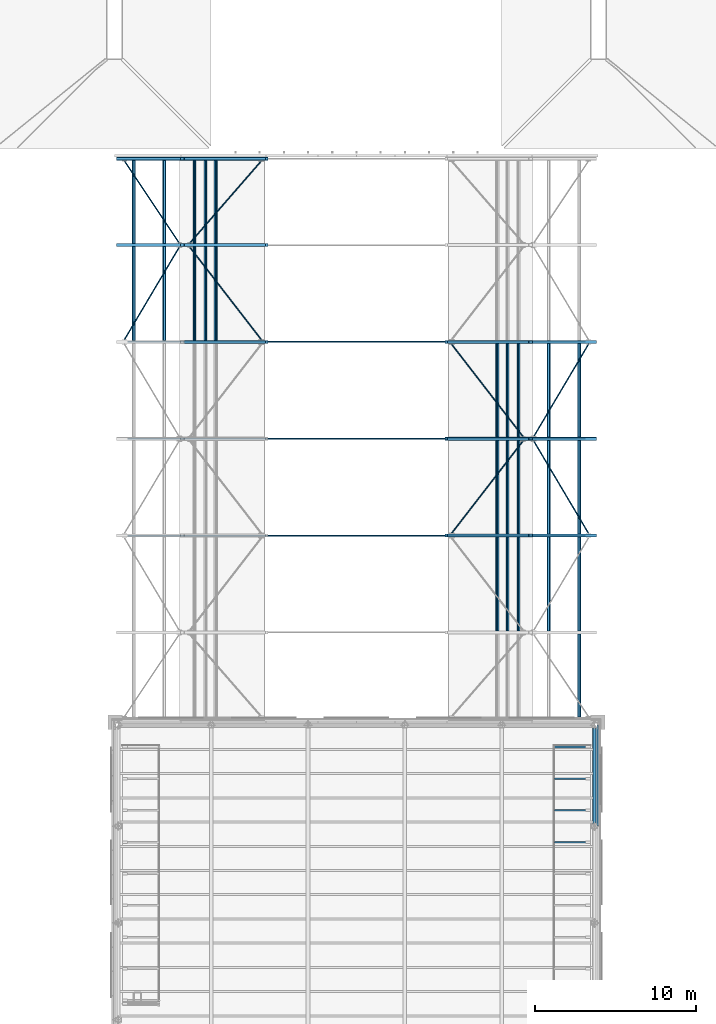
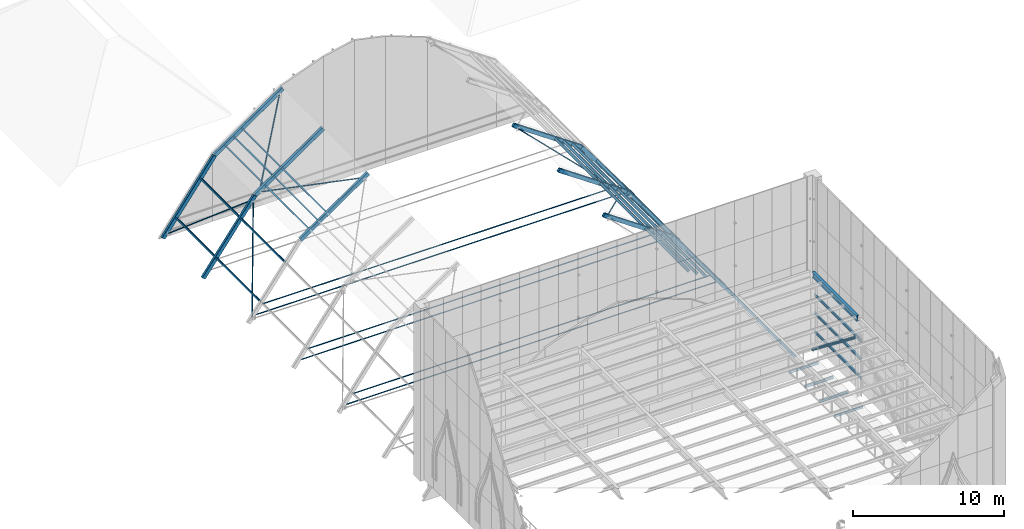
# One storey, part 5 of 43: 41 members, 19 beams.
"""IFC4 building model written with IfcOpenShell, lengths in metres."""

import ifcopenshell
import ifcopenshell.guid

model = None  # the IFC model being written
_history = None  # IfcOwnerHistory: only IFC2X3 demands one
_inside = {}  # id of a spatial element -> (the spatial element, [elements in it])
_under = {}  # id of a project, library or spatial element -> (it, [spatial elements below it])
_declared = {}  # id of a project -> (the project, [libraries it declares])
_typed = {}  # id of a type object -> (the type object, [elements of that type])
_made_of = {}  # id of a material, layer set ... -> (it, [elements and type objects made of it])


def new_model(schema):
    """Start an empty IFC model of exactly this schema.

    Asked for "IFC4X3", IfcOpenShell would pick the latest addendum, in which some entities
    have other attributes; the version numbers below select the first issue.
    IFC2X3 requires an IfcOwnerHistory on every rooted entity: one is made here for all.
    """
    global model, _history
    if schema == "IFC4X3":
        model = ifcopenshell.file(schema_version=(4, 3, 0, 0))
    else:
        model = ifcopenshell.file(schema=schema)
    _inside.clear()
    _under.clear()
    _declared.clear()
    _typed.clear()
    _made_of.clear()
    _history = None
    if model.schema == "IFC2X3":
        org = make("IfcOrganization", Name="unknown")
        user = make(
            "IfcPersonAndOrganization",
            ThePerson=make("IfcPerson", FamilyName="unknown"),
            TheOrganization=org,
        )
        app = make(
            "IfcApplication",
            ApplicationDeveloper=org,
            Version="unknown",
            ApplicationFullName="unknown",
            ApplicationIdentifier="unknown",
        )
        _history = make(
            "IfcOwnerHistory",
            OwningUser=user,
            OwningApplication=app,
            ChangeAction="ADDED",
            CreationDate=0,
        )
    return model


def make(cls, **values):
    """One entity of the class cls with the attributes given. An attribute that is None is left unset."""
    return model.create_entity(
        cls, **{name: value for name, value in values.items() if value is not None}
    )


def rooted(cls, **values):
    """An entity with a GlobalId (a new one), such as an element, a storey or a relation."""
    return make(cls, GlobalId=ifcopenshell.guid.new(), OwnerHistory=_history, **values)


def si_unit(unit_type, name, prefix=None):
    """IfcSIUnit, for example si_unit("LENGTHUNIT", "METRE", prefix="MILLI")."""
    return make("IfcSIUnit", UnitType=unit_type, Prefix=prefix, Name=name)


def assignment(units):
    """IfcUnitAssignment: the units of a project."""
    return None if units is None else make("IfcUnitAssignment", Units=units)


def point(xyz):
    """IfcCartesianPoint."""
    return None if xyz is None else make("IfcCartesianPoint", Coordinates=xyz)


def direction(xyz):
    """IfcDirection."""
    return None if xyz is None else make("IfcDirection", DirectionRatios=xyz)


def frame(location, z_axis=None, x_axis=None):
    """IfcAxis2Placement3D, a coordinate frame: its origin and axes. An axis left out is left unset."""
    return make(
        "IfcAxis2Placement3D",
        Location=point(location),
        Axis=direction(z_axis),
        RefDirection=direction(x_axis),
    )


def frame_2d(location, x_axis=None):
    """IfcAxis2Placement2D, a coordinate frame in the plane: its origin and x axis."""
    return make(
        "IfcAxis2Placement2D", Location=point(location), RefDirection=direction(x_axis)
    )


def origin():
    """The frame at (0, 0, 0) with its axes left unset."""
    return frame((0.0, 0.0, 0.0))


def origin_2d():
    """The frame at (0, 0) in the plane with its x axis left unset."""
    return frame_2d((0.0, 0.0))


def place(relative_to, where):
    """IfcLocalPlacement: puts the frame where relative to a parent placement (None: the world)."""
    return make(
        "IfcLocalPlacement", PlacementRelTo=relative_to, RelativePlacement=where
    )


def context(
    kind, dimensions, precision=None, world=None, true_north=None, identifier=None
):
    """IfcGeometricRepresentationContext, for example the 3D "Model" context."""
    return make(
        "IfcGeometricRepresentationContext",
        ContextIdentifier=identifier,
        ContextType=kind,
        CoordinateSpaceDimension=dimensions,
        Precision=precision,
        WorldCoordinateSystem=world,
        TrueNorth=true_north,
    )


def subcontext(parent, identifier, kind, view, scale=None):
    """IfcGeometricRepresentationSubContext, for example "Body" below "Model"."""
    return make(
        "IfcGeometricRepresentationSubContext",
        ContextIdentifier=identifier,
        ContextType=kind,
        ParentContext=parent,
        TargetScale=scale,
        TargetView=view,
    )


def project(units=None, contexts=None):
    """IfcProject with its units and contexts."""
    return rooted(
        "IfcProject",
        Name="project",
        RepresentationContexts=contexts,
        UnitsInContext=assignment(units),
    )


def spatial(cls, under=None, at=None, **own):
    """A site, building, storey or space (cls), placed at a placement, below another one or the project."""
    s = rooted(cls, ObjectPlacement=at, **own)
    if under is not None:
        _under.setdefault(under.id(), (under, []))[1].append(s)
    return s


def profile(cls, at=None, kind="AREA", **sizes):
    """A parametric profile (cls). Its sizes go by their IFC names, for example OverallWidth=200.0."""
    return make(cls, ProfileType=kind, Position=at, **sizes)


def hollow_rectangle(**sizes):
    """IfcRectangleHollowProfileDef."""
    return profile("IfcRectangleHollowProfileDef", **sizes)


def hollow_circle(**sizes):
    """IfcCircleHollowProfileDef."""
    return profile("IfcCircleHollowProfileDef", **sizes)


def i_section(**sizes):
    """IfcIShapeProfileDef."""
    return profile("IfcIShapeProfileDef", **sizes)


def extrude(swept, where, along, depth):
    """IfcExtrudedAreaSolid: the profile swept, set in the frame where, extruded along a direction by depth."""
    return make(
        "IfcExtrudedAreaSolid",
        SweptArea=swept,
        Position=where,
        ExtrudedDirection=direction(along),
        Depth=depth,
    )


def shape(context_of_items, identifier, shape_type, items):
    """IfcShapeRepresentation: the items that make up one representation, for example the "Body"."""
    return make(
        "IfcShapeRepresentation",
        ContextOfItems=context_of_items,
        RepresentationIdentifier=identifier,
        RepresentationType=shape_type,
        Items=items,
    )


def material(Name=None, Category=None):
    """IfcMaterial."""
    return make("IfcMaterial", Name=Name, Category=Category)


def material_profile(
    of_material, cross_section, Name=None, Category=None, Priority=None
):
    """IfcMaterialProfile: a cross section and its material."""
    return make(
        "IfcMaterialProfile",
        Name=Name,
        Material=of_material,
        Profile=cross_section,
        Priority=Priority,
        Category=Category,
    )


def profile_set(profiles, Name=None, composite=None):
    """IfcMaterialProfileSet."""
    return make(
        "IfcMaterialProfileSet",
        Name=Name,
        MaterialProfiles=profiles,
        CompositeProfile=composite,
    )


def made_of(thing, what):
    """Note that an element or type object is made of a material, layer set ...; save() writes the relation."""
    if what is not None:
        _made_of.setdefault(what.id(), (what, []))[1].append(thing)
    return thing


def type_object(cls, material=None, **own):
    """A type object (cls), such as IfcWallType, which elements share."""
    return made_of(rooted(cls, **own), material)


def element(
    cls,
    number,
    at=None,
    inside=None,
    cuts=None,
    type_object=None,
    material=None,
    context=None,
    identifier="Body",
    shape_type=None,
    held_by="IfcProductDefinitionShape",
    body=None,
    shapes=None,
    **own,
):
    """One element of the class cls, such as IfcWall. Its Tag is "e" and its number.

    at: its placement. inside: the storey or other place that contains it. cuts: it is an
    opening in that element (IfcRelVoidsElement). A single representation is given by context,
    identifier, shape_type and body (its items); several are given by shapes. held_by: the class
    of the entity that holds the representations. save() writes the other relations.
    """
    e = rooted(cls, Tag="e%d" % number, ObjectPlacement=at, **own)
    if body is not None:
        shapes = [shape(context, identifier, shape_type, body)]
    if shapes is not None:
        e.Representation = make(held_by, Representations=shapes)
    if inside is not None:
        _inside.setdefault(inside.id(), (inside, []))[1].append(e)
    if cuts is not None:
        rooted(
            "IfcRelVoidsElement", RelatingBuildingElement=cuts, RelatedOpeningElement=e
        )
    if type_object is not None:
        _typed.setdefault(type_object.id(), (type_object, []))[1].append(e)
    return made_of(e, material)


def aggregate(whole, parts):
    """IfcRelAggregates: a whole, such as a stair, and the parts it consists of."""
    return rooted("IfcRelAggregates", RelatingObject=whole, RelatedObjects=parts)


def save(model, path):
    """Write the relations noted so far, then the file.

    IfcRelAggregates (storeys below a building ...), IfcRelContainedInSpatialStructure (elements
    in a storey), IfcRelDefinesByType, IfcRelAssociatesMaterial and IfcRelDeclares: one each for
    every whole, place, type object, material and project.
    """
    for whole, parts in _under.values():
        aggregate(whole, parts)
    for where, things in _inside.values():
        rooted(
            "IfcRelContainedInSpatialStructure",
            RelatedElements=things,
            RelatingStructure=where,
        )
    for kind, things in _typed.values():
        rooted("IfcRelDefinesByType", RelatedObjects=things, RelatingType=kind)
    for what, things in _made_of.values():
        rooted("IfcRelAssociatesMaterial", RelatedObjects=things, RelatingMaterial=what)
    for by, libraries in _declared.values():
        rooted("IfcRelDeclares", RelatingContext=by, RelatedDefinitions=libraries)
    model.write(path)


model = new_model("IFC4")

# Units and contexts
model_context = context("Model", 3, precision=1e-05, world=origin(), true_north=direction((0.0, 1.0)))
body_context = subcontext(model_context, "Body", "Model", "MODEL_VIEW")
ifc_project = project(units=[si_unit("LENGTHUNIT", "METRE"), si_unit("AREAUNIT", "SQUARE_METRE"), si_unit("VOLUMEUNIT", "CUBIC_METRE"), si_unit("PLANEANGLEUNIT", "RADIAN"), si_unit("MASSUNIT", "GRAM", prefix="KILO")], contexts=[model_context])

# Site, building, storey
site_placement = place(None, origin())
site = spatial("IfcSite", under=ifc_project, at=site_placement, CompositionType="ELEMENT")
building_placement = place(site_placement, origin())
building = spatial("IfcBuilding", under=site, at=building_placement, Name="Saffron Lane Theatres", CompositionType="ELEMENT")
storey_placement = place(building_placement, frame((0.0, 0.0, 23.0)))
storey = spatial("IfcBuildingStorey", under=building, at=storey_placement, Name="Roof", CompositionType="ELEMENT", Elevation=23.0)

# Beams
ifc_material_1 = material(Name="Steel Grade 350", Category="steel")
ifc_material_profile_1 = material_profile(ifc_material_1, i_section(OverallWidth=0.09912109375, OverallDepth=0.197998046875, WebThickness=0.00439453125, FlangeThickness=0.007080078125, FilletRadius=0.010986328125, at=origin_2d()))
ifc_profile_set_1 = profile_set([ifc_material_profile_1], Name="Steel Grade 350")
beam_type_1 = type_object("IfcBeamType", Name="ST-GALLERY BEAM 200UB18.2", PredefinedType="BEAM", material=ifc_profile_set_1)
for number, where, z_axis, x_axis, name in (
    (1, (45.27490234375, 47.012451171875, -0.14892578125), (1.0, 0.0, 0.0), (0.0, 1.0, 0.0), "FBE23-7"),
    (2, (45.27490234375, 48.97509765625, -0.14892578125), (1.0, 0.0, 0.0), (0.0, 1.0, 0.0), "FBE23-8"),
    (3, (45.27490234375, 50.9375, -0.14892578125), (1.0, 0.0, 0.0), (0.0, 1.0, 0.0), "FBE23-9"),
    (4, (45.27490234375, 52.89990234375, -0.14892578125), (1.0, 0.0, 0.0), (0.0, 1.0, 0.0), "FBE23-10"),
):
    element("IfcBeam", number, at=place(storey_placement, frame(where, z_axis=z_axis, x_axis=x_axis)), inside=storey, type_object=beam_type_1, Name=name, PredefinedType="BEAM", context=body_context, shape_type="SweptSolid", body=[
        extrude(i_section(OverallWidth=0.09912109375, OverallDepth=0.197998046875, WebThickness=0.00439453125, FlangeThickness=0.007080078125, FilletRadius=0.010986328125, at=origin_2d()), origin(), (0.0, 0.0, 1.0), 2.22509765625),
    ])
ifc_material_2 = material(Name="Steel Grade 350", Category="steel")
ifc_material_profile_2 = material_profile(ifc_material_2, i_section(OverallWidth=0.19091796875, OverallDepth=0.4599609375, WebThickness=0.010009765625, FlangeThickness=0.01611328125, FilletRadius=0.010986328125, at=origin_2d()))
ifc_profile_set_2 = profile_set([ifc_material_profile_2], Name="Steel Grade 350")
beam_type_2 = type_object("IfcBeamType", Name="ST-GRIDIRON GIRDER 460UB82.1", PredefinedType="BEAM", material=ifc_profile_set_2)
beam_1_placement = place(storey_placement, frame((47.75, 48.155517578125, 6.219970703125), z_axis=(0.0, 1.0, 0.0), x_axis=(-1.0, 0.0, 0.0)))
element("IfcBeam", 5, at=beam_1_placement, inside=storey, type_object=beam_type_2, Name="TG18", PredefinedType="BEAM", context=body_context, shape_type="SweptSolid", body=[
    extrude(i_section(OverallWidth=0.19091796875, OverallDepth=0.4599609375, WebThickness=0.010009765625, FlangeThickness=0.01611328125, FilletRadius=0.010986328125, at=origin_2d()), origin(), (0.0, 0.0, 1.0), 5.930908203125),
])

# Member
ifc_material_3 = material(Name="Steel Grade 350", Category="steel")
ifc_material_profile_3 = material_profile(ifc_material_3, hollow_circle(Radius=0.109619140625, WallThickness=0.00830078125, at=origin_2d()))
ifc_profile_set_3 = profile_set([ifc_material_profile_3], Name="Steel Grade 350")
member_type_1 = type_object("IfcMemberType", Name="ST-TOWER BRACE LO 219.1x8.2 CHS", PredefinedType="BRACE", material=ifc_profile_set_3)
member_1_placement = place(storey_placement, frame((47.75, 54.138427734375, 0.086669921875), z_axis=(0.0, -0.790037583731, 0.613058411811), x_axis=(1.0, 0.0, 0.0)))
element("IfcMember", 6, at=member_1_placement, inside=storey, type_object=member_type_1, Name="TB35", PredefinedType="BRACE", context=body_context, shape_type="SweptSolid", body=[
    extrude(hollow_circle(Radius=0.109619140625, WallThickness=0.00830078125, at=origin_2d()), origin(), (0.0, 0.0, 1.0), 7.628662109375),
])

# Beams
ifc_material_4 = material(Name="Steel Grade 350", Category="steel")
ifc_material_profile_4 = material_profile(ifc_material_4, i_section(OverallWidth=0.09912109375, OverallDepth=0.197998046875, WebThickness=0.00439453125, FlangeThickness=0.007080078125, FilletRadius=0.010986328125, at=origin_2d()))
ifc_profile_set_4 = profile_set([ifc_material_profile_4], Name="Steel Grade 350")
beam_type_3 = type_object("IfcBeamType", Name="ST-TOWER GIRT 200UB18.2", PredefinedType="BEAM", material=ifc_profile_set_4)
for number, where, z_axis, x_axis, name in (
    (7, (47.962890625, 48.0, 1.40087890625), (0.0, 1.0, 0.0), (-1.0, 0.0, 0.0), "TX49"),
    (8, (47.962890625, 48.0, 2.90087890625), (0.0, 1.0, 0.0), (-1.0, 0.0, 0.0), "TX53"),
    (9, (47.962890625, 48.0, 4.40087890625), (0.0, 1.0, 0.0), (-1.0, 0.0, 0.0), "TX57"),
):
    element("IfcBeam", number, at=place(storey_placement, frame(where, z_axis=z_axis, x_axis=x_axis)), inside=storey, type_object=beam_type_3, Name=name, PredefinedType="BEAM", context=body_context, shape_type="SweptSolid", body=[
        extrude(i_section(OverallWidth=0.09912109375, OverallDepth=0.197998046875, WebThickness=0.00439453125, FlangeThickness=0.007080078125, FilletRadius=0.010986328125, at=origin_2d()), origin(), (0.0, 0.0, 1.0), 6.25),
    ])

# Members
ifc_material_5 = material(Name="Steel Grade 350", Category="steel")
ifc_material_profile_5 = material_profile(ifc_material_5, hollow_circle(Radius=0.04443359375, WallThickness=0.005859375, at=origin_2d()))
ifc_profile_set_5 = profile_set([ifc_material_profile_5], Name="Steel Grade 350")
member_type_2 = type_object("IfcMemberType", Name="ST-VAULT BRACE 88.9x5.9 CHS", PredefinedType="BRACE", material=ifc_profile_set_5)
member_2_placement = place(storey_placement, frame((38.894775390625, 66.140380859375, 6.6708984375), z_axis=(0.563659260503, 0.729034995393, -0.388324881436), x_axis=(-0.791120093117, 0.611660852324, 0.0)))
element("IfcMember", 10, at=member_2_placement, inside=storey, type_object=member_type_2, Name="VB23", PredefinedType="BRACE", context=body_context, shape_type="SweptSolid", body=[
    extrude(hollow_circle(Radius=0.04443359375, WallThickness=0.005859375, at=origin_2d()), origin(), (0.0, 0.0, 1.0), 7.844970703125),
])
member_3_placement = place(storey_placement, frame((43.988037109375, 71.858642578125, 2.976318359375), z_axis=(0.420650922194, -0.709712053021, -0.565120875083), x_axis=(0.860248567994, 0.509874887854, 0.0)))
element("IfcMember", 11, at=member_3_placement, inside=storey, type_object=member_type_2, Name="VB24", PredefinedType="BRACE", context=body_context, shape_type="SweptSolid", body=[
    extrude(hollow_circle(Radius=0.04443359375, WallThickness=0.005859375, at=origin_2d()), origin(), (0.0, 0.0, 1.0), 8.0556640625),
])
member_4_placement = place(storey_placement, frame((38.894775390625, 77.859619140625, 6.6708984375), z_axis=(0.563659260503, -0.729034995393, -0.388324881436), x_axis=(0.791120093117, 0.611660852324, 0.0)))
element("IfcMember", 12, at=member_4_placement, inside=storey, type_object=member_type_2, Name="VB31", PredefinedType="BRACE", context=body_context, shape_type="SweptSolid", body=[
    extrude(hollow_circle(Radius=0.04443359375, WallThickness=0.005859375, at=origin_2d()), origin(), (0.0, 0.0, 1.0), 7.844970703125),
])
for number, where, z_axis, x_axis, name in (
    (13, (43.988037109375, 72.141357421875, 2.976318359375), (0.420650922194, 0.709712053021, -0.565120875083), (-0.860248567994, 0.509874887854, 0.0), "VB32"),
    (14, (18.623291015625, 78.141357421875, -1.576171875), (0.420650922194, 0.709712053021, 0.565120875083), (-0.860248567994, 0.509874887854, 0.0), "VB33"),
):
    element("IfcMember", number, at=place(storey_placement, frame(where, z_axis=z_axis, x_axis=x_axis)), inside=storey, type_object=member_type_2, Name=name, PredefinedType="BRACE", context=body_context, shape_type="SweptSolid", body=[
        extrude(hollow_circle(Radius=0.04443359375, WallThickness=0.005859375, at=origin_2d()), origin(), (0.0, 0.0, 1.0), 8.0556640625),
    ])
member_5_placement = place(storey_placement, frame((22.683349609375, 83.859619140625, 3.62451171875), z_axis=(0.563659260503, -0.729034995393, 0.388324881436), x_axis=(0.791120093117, 0.611660852324, 0.0)))
element("IfcMember", 15, at=member_5_placement, inside=storey, type_object=member_type_2, Name="VB34", PredefinedType="BRACE", context=body_context, shape_type="SweptSolid", body=[
    extrude(hollow_circle(Radius=0.04443359375, WallThickness=0.005859375, at=origin_2d()), origin(), (0.0, 0.0, 1.0), 7.844970703125),
])
member_6_placement = place(storey_placement, frame((18.627685546875, 89.206787109375, -1.570556640625), z_axis=(0.444999189173, -0.666695187998, 0.597907390769), x_axis=(0.831741693908, 0.555162818112, 0.0)))
element("IfcMember", 16, at=member_6_placement, inside=storey, type_object=member_type_2, Name="VB41", PredefinedType="BRACE", context=body_context, shape_type="SweptSolid", body=[
    extrude(hollow_circle(Radius=0.04443359375, WallThickness=0.005859375, at=origin_2d()), origin(), (0.0, 0.0, 1.0), 7.59521484375),
])
member_7_placement = place(storey_placement, frame((22.68896484375, 84.142333984375, 3.62841796875), z_axis=(0.598302857614, 0.687124304759, 0.41218185353), x_axis=(-0.754168697763, 0.656680725554, 0.0)))
element("IfcMember", 17, at=member_7_placement, inside=storey, type_object=member_type_2, Name="VB42", PredefinedType="BRACE", context=body_context, shape_type="SweptSolid", body=[
    extrude(hollow_circle(Radius=0.04443359375, WallThickness=0.005859375, at=origin_2d()), origin(), (0.0, 0.0, 1.0), 7.371826171875),
])
ifc_material_6 = material(Name="Steel Grade 350", Category="steel")
ifc_material_profile_6 = material_profile(ifc_material_6, i_section(OverallWidth=0.09912109375, OverallDepth=0.197998046875, WebThickness=0.00439453125, FlangeThickness=0.007080078125, FilletRadius=0.010986328125, at=origin_2d()))
ifc_profile_set_6 = profile_set([ifc_material_profile_6], Name="Steel Grade 350")
member_type_3 = type_object("IfcMemberType", Name="ST-VAULT PURLIN 200UB18.2", PredefinedType="PURLIN", material=ifc_profile_set_6)
member_8_placement = place(storey_placement, frame((46.794677734375, 54.75, -0.54150390625), z_axis=(0.0, 1.0, 0.0), x_axis=(0.597068546596, 0.0, -0.802190220998)))
element("IfcMember", 18, at=member_8_placement, inside=storey, type_object=member_type_3, Name="VP1H2", PredefinedType="PURLIN", context=body_context, shape_type="SweptSolid", body=[
    extrude(i_section(OverallWidth=0.09912109375, OverallDepth=0.197998046875, WebThickness=0.00439453125, FlangeThickness=0.007080078125, FilletRadius=0.010986328125, at=origin_2d()), origin(), (0.0, 0.0, 1.0), 5.14990234375),
])
for number, where, z_axis, x_axis, name in (
    (19, (41.719970703125, 60.10009765625, 4.90771484375), (0.0, 1.0, 0.0), (0.823487130919, 0.0, -0.567334949752), "VP2G2"),
    (20, (42.351318359375, 60.10009765625, 4.472900390625), (0.0, 1.0, 0.0), (0.823487130919, 0.0, -0.567334949752), "VP2G3"),
    (21, (43.035400390625, 60.10009765625, 4.001708984375), (0.0, 1.0, 0.0), (0.823487130919, 0.0, -0.567334949752), "VP2G4"),
    (22, (44.908447265625, 60.10009765625, 1.99267578125), (0.0, 1.0, 0.0), (0.597068546596, 0.0, -0.802190220998), "VP2H1"),
    (23, (46.794677734375, 60.10009765625, -0.54150390625), (0.0, 1.0, 0.0), (0.597068546596, 0.0, -0.802190220998), "VP2H2"),
    (24, (41.719970703125, 66.10009765625, 4.90771484375), (0.0, 1.0, 0.0), (0.823487130919, 0.0, -0.567334949752), "VP3G2"),
    (25, (42.351318359375, 66.10009765625, 4.472900390625), (0.0, 1.0, 0.0), (0.823487130919, 0.0, -0.567334949752), "VP3G3"),
    (26, (43.035400390625, 66.10009765625, 4.001708984375), (0.0, 1.0, 0.0), (0.823487130919, 0.0, -0.567334949752), "VP3G4"),
    (27, (44.908447265625, 66.10009765625, 1.99267578125), (0.0, 1.0, 0.0), (0.597068546596, 0.0, -0.802190220998), "VP3H1"),
    (28, (46.794677734375, 66.10009765625, -0.54150390625), (0.0, 1.0, 0.0), (0.597068546596, 0.0, -0.802190220998), "VP3H2"),
    (29, (41.719970703125, 72.10009765625, 4.90771484375), (0.0, 1.0, 0.0), (0.823487130919, 0.0, -0.567334949752), "VP4G2"),
    (30, (42.351318359375, 72.10009765625, 4.472900390625), (0.0, 1.0, 0.0), (0.823487130919, 0.0, -0.567334949752), "VP4G3"),
    (31, (43.035400390625, 72.10009765625, 4.001708984375), (0.0, 1.0, 0.0), (0.823487130919, 0.0, -0.567334949752), "VP4G4"),
    (32, (44.908447265625, 72.10009765625, 1.99267578125), (0.0, 1.0, 0.0), (0.597068546596, 0.0, -0.802190220998), "VP4H1"),
    (33, (46.794677734375, 72.10009765625, -0.54150390625), (0.0, 1.0, 0.0), (0.597068546596, 0.0, -0.802190220998), "VP4H2"),
    (34, (19.205322265625, 78.10009765625, -0.54150390625), (0.0, 1.0, 0.0), (0.597068546596, 0.0, 0.802190220998), "VP5A1"),
    (35, (21.091552734375, 78.10009765625, 1.99267578125), (0.0, 1.0, 0.0), (0.597068546596, 0.0, 0.802190220998), "VP5A2"),
    (36, (22.964599609375, 78.10009765625, 4.001708984375), (0.0, 1.0, 0.0), (0.823487130919, 0.0, 0.567334949752), "VP5B1"),
    (37, (23.648681640625, 78.10009765625, 4.472900390625), (0.0, 1.0, 0.0), (0.823487130919, 0.0, 0.567334949752), "VP5B2"),
    (38, (24.280029296875, 78.10009765625, 4.90771484375), (0.0, 1.0, 0.0), (0.823487130919, 0.0, 0.567334949752), "VP5B3"),
):
    element("IfcMember", number, at=place(storey_placement, frame(where, z_axis=z_axis, x_axis=x_axis)), inside=storey, type_object=member_type_3, Name=name, PredefinedType="PURLIN", context=body_context, shape_type="SweptSolid", body=[
        extrude(i_section(OverallWidth=0.09912109375, OverallDepth=0.197998046875, WebThickness=0.00439453125, FlangeThickness=0.007080078125, FilletRadius=0.010986328125, at=origin_2d()), origin(), (0.0, 0.0, 1.0), 5.7998046875),
    ])
for number, where, z_axis, x_axis, name in (
    (39, (19.205322265625, 84.10009765625, -0.54150390625), (0.0, 1.0, 0.0), (0.597068546596, 0.0, 0.802190220998), "VP6A1"),
    (40, (21.091552734375, 84.10009765625, 1.99267578125), (0.0, 1.0, 0.0), (0.597068546596, 0.0, 0.802190220998), "VP6A2"),
    (41, (22.964599609375, 84.10009765625, 4.001708984375), (0.0, 1.0, 0.0), (0.823487130919, 0.0, 0.567334949752), "VP6B1"),
    (42, (23.648681640625, 84.10009765625, 4.472900390625), (0.0, 1.0, 0.0), (0.823487130919, 0.0, 0.567334949752), "VP6B2"),
    (43, (24.280029296875, 84.10009765625, 4.90771484375), (0.0, 1.0, 0.0), (0.823487130919, 0.0, 0.567334949752), "VP6B3"),
):
    element("IfcMember", number, at=place(storey_placement, frame(where, z_axis=z_axis, x_axis=x_axis)), inside=storey, type_object=member_type_3, Name=name, PredefinedType="PURLIN", context=body_context, shape_type="SweptSolid", body=[
        extrude(i_section(OverallWidth=0.09912109375, OverallDepth=0.197998046875, WebThickness=0.00439453125, FlangeThickness=0.007080078125, FilletRadius=0.010986328125, at=origin_2d()), origin(), (0.0, 0.0, 1.0), 5.14990234375),
    ])

# Beams
ifc_material_7 = material(Name="Steel Grade 350", Category="steel")
ifc_material_profile_7 = material_profile(ifc_material_7, hollow_rectangle(XDim=0.199951171875, YDim=0.300048828125, WallThickness=0.010009765625, InnerFilletRadius=0.0048828125, OuterFilletRadius=0.014892578125, at=origin_2d()))
ifc_profile_set_7 = profile_set([ifc_material_profile_7], Name="Steel Grade 350")
beam_type_4 = type_object("IfcBeamType", Name="ST-VAULT RIB 300x200x10 RHS", PredefinedType="USERDEFINED", material=ifc_profile_set_7)
beam_2_placement = place(storey_placement, frame((38.56494140625, 66.0, 7.01953125), z_axis=(0.823484273619, 0.0, -0.567339097104), x_axis=(0.0, 1.0, 0.0)))
element("IfcBeam", 44, at=beam_2_placement, inside=storey, type_object=beam_type_4, Name="VR3G", ObjectType="VAULT RIB", PredefinedType="USERDEFINED", context=body_context, shape_type="SweptSolid", body=[
    extrude(hollow_rectangle(XDim=0.199951171875, YDim=0.300048828125, WallThickness=0.010009765625, InnerFilletRadius=0.0048828125, OuterFilletRadius=0.014892578125, at=origin_2d()), origin(), (0.0, 0.0, 1.0), 6.302001953125),
])
beam_3_placement = place(storey_placement, frame((43.7900390625, 66.0, 3.41015625), z_axis=(0.597057046595, 0.0, -0.802198780298), x_axis=(0.0, 1.0, 0.0)))
element("IfcBeam", 45, at=beam_3_placement, inside=storey, type_object=beam_type_4, Name="VR3H", ObjectType="VAULT RIB", PredefinedType="USERDEFINED", context=body_context, shape_type="SweptSolid", body=[
    extrude(hollow_rectangle(XDim=0.199951171875, YDim=0.300048828125, WallThickness=0.010009765625, InnerFilletRadius=0.0048828125, OuterFilletRadius=0.014892578125, at=origin_2d()), origin(), (0.0, 0.0, 1.0), 6.632568359375),
])
beam_4_placement = place(storey_placement, frame((38.56494140625, 72.0, 7.01953125), z_axis=(0.823484273619, 0.0, -0.567339097104), x_axis=(0.0, 1.0, 0.0)))
element("IfcBeam", 46, at=beam_4_placement, inside=storey, type_object=beam_type_4, Name="VR4G", ObjectType="VAULT RIB", PredefinedType="USERDEFINED", context=body_context, shape_type="SweptSolid", body=[
    extrude(hollow_rectangle(XDim=0.199951171875, YDim=0.300048828125, WallThickness=0.010009765625, InnerFilletRadius=0.0048828125, OuterFilletRadius=0.014892578125, at=origin_2d()), origin(), (0.0, 0.0, 1.0), 6.302001953125),
])
beam_5_placement = place(storey_placement, frame((43.7900390625, 72.0, 3.41015625), z_axis=(0.597057046595, 0.0, -0.802198780298), x_axis=(0.0, 1.0, 0.0)))
element("IfcBeam", 47, at=beam_5_placement, inside=storey, type_object=beam_type_4, Name="VR4H", ObjectType="VAULT RIB", PredefinedType="USERDEFINED", context=body_context, shape_type="SweptSolid", body=[
    extrude(hollow_rectangle(XDim=0.199951171875, YDim=0.300048828125, WallThickness=0.010009765625, InnerFilletRadius=0.0048828125, OuterFilletRadius=0.014892578125, at=origin_2d()), origin(), (0.0, 0.0, 1.0), 6.632568359375),
])
for number, where, z_axis, x_axis, name in (
    (48, (22.245361328125, 78.0, 3.444091796875), (0.823484273619, 0.0, 0.567339097104), (0.0, 1.0, 0.0), "VR5B"),
    (49, (38.56494140625, 78.0, 7.01953125), (0.823484273619, 0.0, -0.567339097104), (0.0, 1.0, 0.0), "VR5G"),
):
    element("IfcBeam", number, at=place(storey_placement, frame(where, z_axis=z_axis, x_axis=x_axis)), inside=storey, type_object=beam_type_4, Name=name, ObjectType="VAULT RIB", PredefinedType="USERDEFINED", context=body_context, shape_type="SweptSolid", body=[
        extrude(hollow_rectangle(XDim=0.199951171875, YDim=0.300048828125, WallThickness=0.010009765625, InnerFilletRadius=0.0048828125, OuterFilletRadius=0.014892578125, at=origin_2d()), origin(), (0.0, 0.0, 1.0), 6.302001953125),
    ])
for number, where, z_axis, x_axis, name in (
    (50, (43.7900390625, 78.0, 3.41015625), (0.597057046595, 0.0, -0.802198780298), (0.0, 1.0, 0.0), "VR5H"),
    (51, (18.25, 84.0, -1.910400390625), (0.597057046595, 0.0, 0.802198780298), (0.0, 1.0, 0.0), "VR6A"),
):
    element("IfcBeam", number, at=place(storey_placement, frame(where, z_axis=z_axis, x_axis=x_axis)), inside=storey, type_object=beam_type_4, Name=name, ObjectType="VAULT RIB", PredefinedType="USERDEFINED", context=body_context, shape_type="SweptSolid", body=[
        extrude(hollow_rectangle(XDim=0.199951171875, YDim=0.300048828125, WallThickness=0.010009765625, InnerFilletRadius=0.0048828125, OuterFilletRadius=0.014892578125, at=origin_2d()), origin(), (0.0, 0.0, 1.0), 6.632568359375),
    ])
beam_6_placement = place(storey_placement, frame((22.245361328125, 84.0, 3.444091796875), z_axis=(0.823484273619, 0.0, 0.567339097104), x_axis=(0.0, 1.0, 0.0)))
element("IfcBeam", 52, at=beam_6_placement, inside=storey, type_object=beam_type_4, Name="VR6B", ObjectType="VAULT RIB", PredefinedType="USERDEFINED", context=body_context, shape_type="SweptSolid", body=[
    extrude(hollow_rectangle(XDim=0.199951171875, YDim=0.300048828125, WallThickness=0.010009765625, InnerFilletRadius=0.0048828125, OuterFilletRadius=0.014892578125, at=origin_2d()), origin(), (0.0, 0.0, 1.0), 6.302001953125),
])
beam_7_placement = place(storey_placement, frame((18.25, 89.35009765625, -1.910400390625), z_axis=(0.597057046595, 0.0, 0.802198780298), x_axis=(0.0, 1.0, 0.0)))
element("IfcBeam", 53, at=beam_7_placement, inside=storey, type_object=beam_type_4, Name="VR7A", ObjectType="VAULT RIB", PredefinedType="USERDEFINED", context=body_context, shape_type="SweptSolid", body=[
    extrude(hollow_rectangle(XDim=0.199951171875, YDim=0.300048828125, WallThickness=0.010009765625, InnerFilletRadius=0.0048828125, OuterFilletRadius=0.014892578125, at=origin_2d()), origin(), (0.0, 0.0, 1.0), 6.632568359375),
])
beam_8_placement = place(storey_placement, frame((22.245361328125, 89.35009765625, 3.444091796875), z_axis=(0.823484273619, 0.0, 0.567339097104), x_axis=(0.0, 1.0, 0.0)))
element("IfcBeam", 54, at=beam_8_placement, inside=storey, type_object=beam_type_4, Name="VR7B", ObjectType="VAULT RIB", PredefinedType="USERDEFINED", context=body_context, shape_type="SweptSolid", body=[
    extrude(hollow_rectangle(XDim=0.199951171875, YDim=0.300048828125, WallThickness=0.010009765625, InnerFilletRadius=0.0048828125, OuterFilletRadius=0.014892578125, at=origin_2d()), origin(), (0.0, 0.0, 1.0), 6.302001953125),
])

# Members
ifc_material_8 = material(Name="Steel Grade 350", Category="steel")
ifc_material_profile_8 = material_profile(ifc_material_8, hollow_circle(Radius=0.04443359375, WallThickness=0.005859375, at=origin_2d()))
ifc_profile_set_8 = profile_set([ifc_material_profile_8], Name="Steel Grade 350")
member_type_4 = type_object("IfcMemberType", Name="ST-VAULT TIE 88.9x5.9 CHS", PredefinedType="USERDEFINED", material=ifc_profile_set_8)
member_9_placement = place(storey_placement, frame((18.812744140625, 66.0, -1.449951171875), z_axis=(1.0, 0.0, 0.0), x_axis=(0.0, 1.0, 0.0)))
element("IfcMember", 55, at=member_9_placement, inside=storey, type_object=member_type_4, Name="VT3-1", ObjectType="TIE ROD", PredefinedType="USERDEFINED", context=body_context, shape_type="SweptSolid", body=[
    extrude(hollow_circle(Radius=0.04443359375, WallThickness=0.005859375, at=origin_2d()), origin(), (0.0, 0.0, 1.0), 28.37451171875),
])
member_10_placement = place(storey_placement, frame((19.333740234375, 66.0, -0.75), z_axis=(1.0, 0.0, 0.0), x_axis=(0.0, 1.0, 0.0)))
element("IfcMember", 56, at=member_10_placement, inside=storey, type_object=member_type_4, Name="VT3-2", ObjectType="TIE ROD", PredefinedType="USERDEFINED", context=body_context, shape_type="SweptSolid", body=[
    extrude(hollow_circle(Radius=0.04443359375, WallThickness=0.005859375, at=origin_2d()), origin(), (0.0, 0.0, 1.0), 27.33251953125),
])
member_11_placement = place(storey_placement, frame((18.812744140625, 72.0, -1.449951171875), z_axis=(1.0, 0.0, 0.0), x_axis=(0.0, 1.0, 0.0)))
element("IfcMember", 57, at=member_11_placement, inside=storey, type_object=member_type_4, Name="VT4-1", ObjectType="TIE ROD", PredefinedType="USERDEFINED", context=body_context, shape_type="SweptSolid", body=[
    extrude(hollow_circle(Radius=0.04443359375, WallThickness=0.005859375, at=origin_2d()), origin(), (0.0, 0.0, 1.0), 28.37451171875),
])
member_12_placement = place(storey_placement, frame((19.333740234375, 72.0, -0.75), z_axis=(1.0, 0.0, 0.0), x_axis=(0.0, 1.0, 0.0)))
element("IfcMember", 58, at=member_12_placement, inside=storey, type_object=member_type_4, Name="VT4-2", ObjectType="TIE ROD", PredefinedType="USERDEFINED", context=body_context, shape_type="SweptSolid", body=[
    extrude(hollow_circle(Radius=0.04443359375, WallThickness=0.005859375, at=origin_2d()), origin(), (0.0, 0.0, 1.0), 27.33251953125),
])
member_13_placement = place(storey_placement, frame((18.812744140625, 78.0, -1.449951171875), z_axis=(1.0, 0.0, 0.0), x_axis=(0.0, 1.0, 0.0)))
element("IfcMember", 59, at=member_13_placement, inside=storey, type_object=member_type_4, Name="VT5-1", ObjectType="TIE ROD", PredefinedType="USERDEFINED", context=body_context, shape_type="SweptSolid", body=[
    extrude(hollow_circle(Radius=0.04443359375, WallThickness=0.005859375, at=origin_2d()), origin(), (0.0, 0.0, 1.0), 28.37451171875),
])
member_14_placement = place(storey_placement, frame((19.333740234375, 78.0, -0.75), z_axis=(1.0, 0.0, 0.0), x_axis=(0.0, 1.0, 0.0)))
element("IfcMember", 60, at=member_14_placement, inside=storey, type_object=member_type_4, Name="VT5-2", ObjectType="TIE ROD", PredefinedType="USERDEFINED", context=body_context, shape_type="SweptSolid", body=[
    extrude(hollow_circle(Radius=0.04443359375, WallThickness=0.005859375, at=origin_2d()), origin(), (0.0, 0.0, 1.0), 27.33251953125),
])

save(model, "model.ifc")
